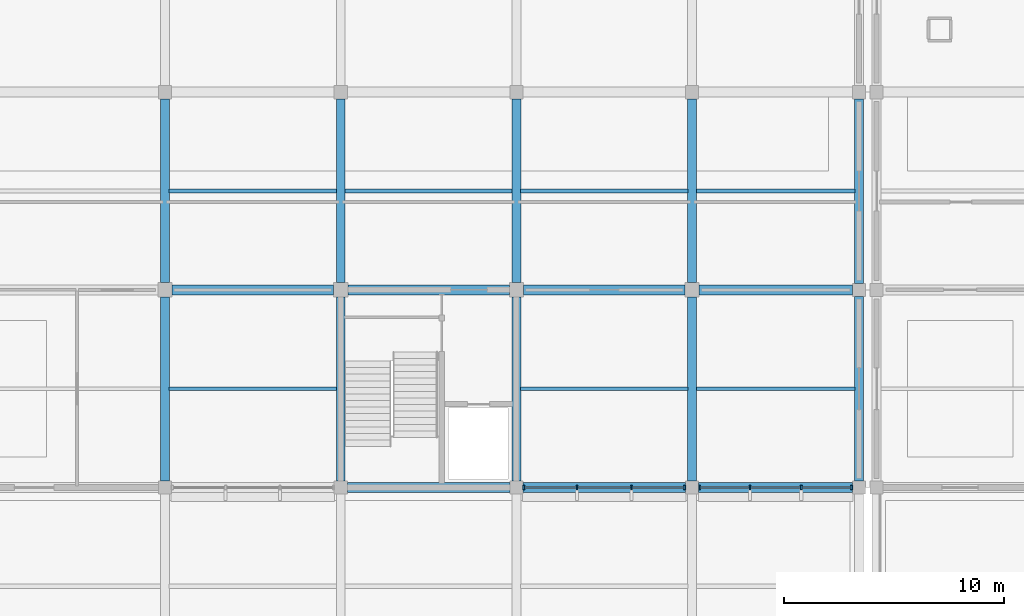
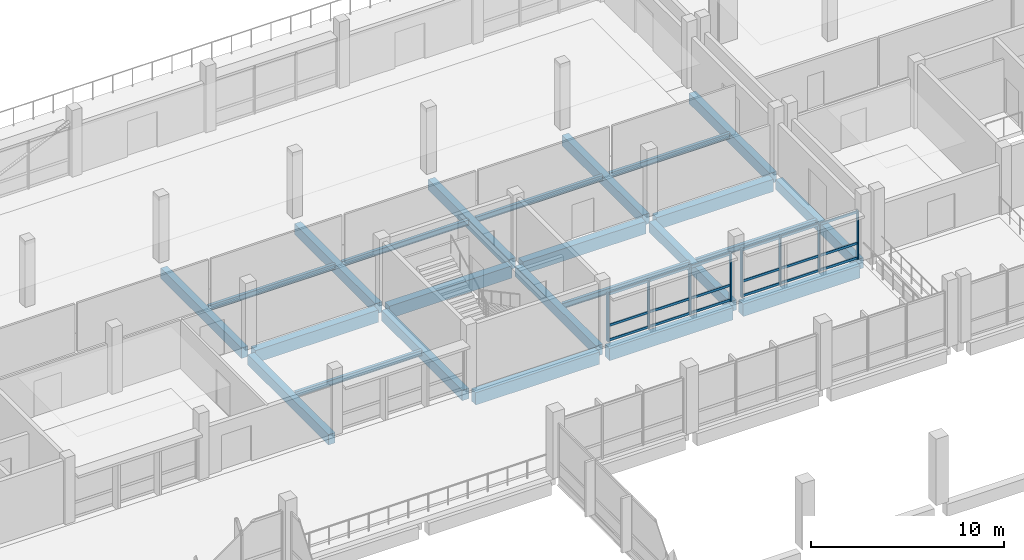
# One storey, part 27 of 70: 26 members, 24 beams, 2 elements without a shape of their own.
"""IFC4 building model written with IfcOpenShell, lengths in metres."""

from ifc_helpers import new_model, si_unit, direction, frame, origin, origin_2d, place, context, subcontext, project, spatial, rectangle, i_section, extrude, material, material_profile, profile_set, type_object, element, aggregate, save


model = new_model("IFC4")

# Units and contexts
model_context = context("Model", 3, precision=1e-05, world=origin(), true_north=direction((0.0, 1.0)))
body_context = subcontext(model_context, "Body", "Model", "MODEL_VIEW")
ifc_project = project(units=[si_unit("LENGTHUNIT", "METRE"), si_unit("AREAUNIT", "SQUARE_METRE"), si_unit("VOLUMEUNIT", "CUBIC_METRE"), si_unit("PLANEANGLEUNIT", "RADIAN"), si_unit("MASSUNIT", "GRAM", prefix="KILO"), si_unit("THERMODYNAMICTEMPERATUREUNIT", "KELVIN"), si_unit("POWERUNIT", "WATT")], contexts=[model_context])

# Site, building, storey
site_placement = place(None, origin())
site = spatial("IfcSite", under=ifc_project, at=site_placement, CompositionType="ELEMENT")
building_placement = place(site_placement, origin())
building = spatial("IfcBuilding", under=site, at=building_placement, Name="Kronsvod Quay Wholesale Market", CompositionType="ELEMENT")
storey_placement = place(building_placement, frame((0.0, 0.0, 9.0)))
storey = spatial("IfcBuildingStorey", under=building, at=storey_placement, Name="L02", CompositionType="ELEMENT", Elevation=9.0)

# Beams
ifc_material_1 = material(Name="Precast concrete C40/50", Category="concrete")
ifc_material_profile_1 = material_profile(ifc_material_1, rectangle(XDim=0.39990234375, YDim=0.64990234375, at=origin_2d()), Name="PCB400x650")
ifc_profile_set_1 = profile_set([ifc_material_profile_1], Name="Precast concrete C40/50")
beam_type_1 = type_object("IfcBeamType", Name="Beam_PCB400x650", PredefinedType="BEAM", material=ifc_profile_set_1)
for number, where, z_axis, x_axis, name in (
    (1, (96.0, 99.300048828125, -0.635009765625), (0.0, 1.0, 0.0), (-1.0, 0.0, 0.0), "BMY-L02-960-990"),
    (2, (96.0, 108.324951171875, -0.635009765625), (0.0, 1.0, 0.0), (-1.0, 0.0, 0.0), "BMY-L02-960-1080"),
    (3, (104.0, 99.300048828125, -0.635009765625), (0.0, 1.0, 0.0), (-1.0, 0.0, 0.0), "BMY-L02-1040-990"),
    (4, (104.0, 108.324951171875, -0.635009765625), (0.0, 1.0, 0.0), (-1.0, 0.0, 0.0), "BMY-L02-1040-1080"),
    (5, (112.0, 99.300048828125, -0.635009765625), (0.0, 1.0, 0.0), (-1.0, 0.0, 0.0), "BMY-L02-1120-990"),
    (6, (112.0, 108.324951171875, -0.635009765625), (0.0, 1.0, 0.0), (-1.0, 0.0, 0.0), "BMY-L02-1120-1080"),
    (7, (120.0, 99.300048828125, -0.635009765625), (0.0, 1.0, 0.0), (-1.0, 0.0, 0.0), "BMY-L02-1200-990"),
    (8, (120.0, 108.324951171875, -0.635009765625), (0.0, 1.0, 0.0), (-1.0, 0.0, 0.0), "BMY-L02-1200-1080"),
):
    element("IfcBeam", number, at=place(storey_placement, frame(where, z_axis=z_axis, x_axis=x_axis)), inside=storey, type_object=beam_type_1, Name=name, PredefinedType="BEAM", context=body_context, shape_type="SweptSolid", body=[
        extrude(rectangle(XDim=0.39990234375, YDim=0.64990234375, at=origin_2d()), origin(), (0.0, 0.0, 1.0), 8.375),
    ])
for number, where, z_axis, x_axis, name in (
    (9, (127.60009765625, 99.300048828125, -0.635009765625), (0.0, 1.0, 0.0), (-1.0, 0.0, 0.0), "BMY-L02-1276-990"),
    (10, (127.60009765625, 108.300048828125, -0.635009765625), (0.0, 1.0, 0.0), (-1.0, 0.0, 0.0), "BMY-L02-1276-1080"),
):
    element("IfcBeam", number, at=place(storey_placement, frame(where, z_axis=z_axis, x_axis=x_axis)), inside=storey, type_object=beam_type_1, Name=name, PredefinedType="BEAM", context=body_context, shape_type="SweptSolid", body=[
        extrude(rectangle(XDim=0.39990234375, YDim=0.64990234375, at=origin_2d()), origin(), (0.0, 0.0, 1.0), 8.39990234375),
    ])
ifc_material_2 = material(Name="Precast concrete C40/50", Category="concrete")
ifc_material_profile_2 = material_profile(ifc_material_2, rectangle(XDim=0.4599609375, YDim=0.780029296875, at=origin_2d()), Name="PB-03")
ifc_profile_set_2 = profile_set([ifc_material_profile_2], Name="Precast concrete C40/50")
beam_type_2 = type_object("IfcBeamType", Name="Beam_PCB460x780", PredefinedType="BEAM", material=ifc_profile_set_2)
for number, where, z_axis, x_axis, name in (
    (11, (104.300048828125, 99.0, -0.699951171875), (1.0, 0.0, 0.0), (0.0, 1.0, 0.0), "BMX-L02-1040-990"),
    (12, (112.300048828125, 99.0, -0.699951171875), (1.0, 0.0, 0.0), (0.0, 1.0, 0.0), "BMX-L02-1120-990"),
):
    element("IfcBeam", number, at=place(storey_placement, frame(where, z_axis=z_axis, x_axis=x_axis)), inside=storey, type_object=beam_type_2, Name=name, PredefinedType="BEAM", context=body_context, shape_type="SweptSolid", body=[
        extrude(rectangle(XDim=0.4599609375, YDim=0.780029296875, at=origin_2d()), origin(), (0.0, 0.0, 1.0), 7.39990234375),
    ])
beam_1_placement = place(storey_placement, frame((120.300048828125, 99.0, -0.699951171875), z_axis=(1.0, 0.0, 0.0), x_axis=(0.0, 1.0, 0.0)))
element("IfcBeam", 13, at=beam_1_placement, inside=storey, type_object=beam_type_2, Name="BMX-L02-1200-990", PredefinedType="BEAM", context=body_context, shape_type="SweptSolid", body=[
    extrude(rectangle(XDim=0.4599609375, YDim=0.780029296875, at=origin_2d()), origin(), (0.0, 0.0, 1.0), 7.0),
])
for number, where, z_axis, x_axis, name in (
    (14, (96.324951171875, 108.0, -0.699951171875), (1.0, 0.0, 0.0), (0.0, 1.0, 0.0), "BMX-L02-960-1080"),
    (15, (104.324951171875, 108.0, -0.699951171875), (1.0, 0.0, 0.0), (0.0, 1.0, 0.0), "BMX-L02-1040-1080"),
    (16, (112.324951171875, 108.0, -0.699951171875), (1.0, 0.0, 0.0), (0.0, 1.0, 0.0), "BMX-L02-1120-1080"),
):
    element("IfcBeam", number, at=place(storey_placement, frame(where, z_axis=z_axis, x_axis=x_axis)), inside=storey, type_object=beam_type_2, Name=name, PredefinedType="BEAM", context=body_context, shape_type="SweptSolid", body=[
        extrude(rectangle(XDim=0.4599609375, YDim=0.780029296875, at=origin_2d()), origin(), (0.0, 0.0, 1.0), 7.35009765625),
    ])
beam_2_placement = place(storey_placement, frame((120.324951171875, 108.0, -0.699951171875), z_axis=(1.0, 0.0, 0.0), x_axis=(0.0, 1.0, 0.0)))
element("IfcBeam", 17, at=beam_2_placement, inside=storey, type_object=beam_type_2, Name="BMX-L02-1200-1080", PredefinedType="BEAM", context=body_context, shape_type="SweptSolid", body=[
    extrude(rectangle(XDim=0.4599609375, YDim=0.780029296875, at=origin_2d()), origin(), (0.0, 0.0, 1.0), 6.97509765625),
])
ifc_material_3 = material(Name="Steel S355", Category="steel")
ifc_material_profile_3 = material_profile(ifc_material_3, i_section(OverallWidth=0.174072265625, OverallDepth=0.345947265625, WebThickness=0.006103515625, FlangeThickness=0.009033203125, FilletRadius=0.013916015625, at=origin_2d()), Name="35B1")
ifc_profile_set_3 = profile_set([ifc_material_profile_3], Name="Steel S355")
beam_type_3 = type_object("IfcBeamType", Name="Joist_Steel35B1", PredefinedType="JOIST", material=ifc_profile_set_3)
for number, where, z_axis, x_axis, name in (
    (18, (96.195068359375, 103.5, -0.423095703125), (1.0, 0.0, 0.0), (0.0, 1.0, 0.0), "JSTX-L02-960-990"),
    (19, (96.195068359375, 112.5, -0.423095703125), (1.0, 0.0, 0.0), (0.0, 1.0, 0.0), "JSTX-L02-960-1080"),
    (20, (104.195068359375, 112.5, -0.423095703125), (1.0, 0.0, 0.0), (0.0, 1.0, 0.0), "JSTX-L02-1040-1080"),
    (21, (112.195068359375, 103.5, -0.423095703125), (1.0, 0.0, 0.0), (0.0, 1.0, 0.0), "JSTX-L02-1120-990"),
    (22, (112.195068359375, 112.5, -0.423095703125), (1.0, 0.0, 0.0), (0.0, 1.0, 0.0), "JSTX-L02-1120-1080"),
):
    element("IfcBeam", number, at=place(storey_placement, frame(where, z_axis=z_axis, x_axis=x_axis)), inside=storey, type_object=beam_type_3, Name=name, PredefinedType="JOIST", context=body_context, shape_type="SweptSolid", body=[
        extrude(i_section(OverallWidth=0.174072265625, OverallDepth=0.345947265625, WebThickness=0.006103515625, FlangeThickness=0.009033203125, FilletRadius=0.013916015625, at=origin_2d()), origin(), (0.0, 0.0, 1.0), 7.60986328125),
    ])
for number, where, z_axis, x_axis, name in (
    (23, (120.195068359375, 103.5, -0.423095703125), (1.0, 0.0, 0.0), (0.0, 1.0, 0.0), "JSTX-L02-1200-990"),
    (24, (120.195068359375, 112.5, -0.423095703125), (1.0, 0.0, 0.0), (0.0, 1.0, 0.0), "JSTX-L02-1200-1080"),
):
    element("IfcBeam", number, at=place(storey_placement, frame(where, z_axis=z_axis, x_axis=x_axis)), inside=storey, type_object=beam_type_3, Name=name, PredefinedType="JOIST", context=body_context, shape_type="SweptSolid", body=[
        extrude(i_section(OverallWidth=0.174072265625, OverallDepth=0.345947265625, WebThickness=0.006103515625, FlangeThickness=0.009033203125, FilletRadius=0.013916015625, at=origin_2d()), origin(), (0.0, 0.0, 1.0), 7.2099609375),
    ])

# Curtain wall, members
ifc_material_4 = material(Name="Thermally broken aluminium and triple low-E glazing", Category="aluminium")
curtain_wall_type = type_object("IfcCurtainWallType", Name="CW_Harbour80x33", PredefinedType="NOTDEFINED", material=ifc_material_4)
curtain_wall_1_placement = place(storey_placement, origin())
curtain_wall_1 = element("IfcCurtainWall", 25, at=curtain_wall_1_placement, inside=storey, type_object=curtain_wall_type, Name="CWGX-L02-1120-990", PredefinedType="NOTDEFINED")
ifc_material_5 = material(Name="Anodised aluminium", Category="aluminium")
ifc_material_profile_4 = material_profile(ifc_material_5, rectangle(XDim=0.074951171875, YDim=0.199951171875, at=origin_2d()), Name="ALUM75x200")
ifc_profile_set_4 = profile_set([ifc_material_profile_4], Name="Anodised aluminium")
member_type_1 = type_object("IfcMemberType", Name="Mullion_ALU75x200", PredefinedType="MULLION", material=ifc_profile_set_4)
member_1_placement = place(storey_placement, frame((112.33251953125, 99.0, 0.0), z_axis=(0.0, 0.0, 1.0), x_axis=(1.0, 0.0, 0.0)))
member_1 = element("IfcMember", 26, at=member_1_placement, type_object=member_type_1, Name="CWGX-L02-1120-990-M1", PredefinedType="MULLION", context=body_context, shape_type="SweptSolid", body=[
    extrude(rectangle(XDim=0.074951171875, YDim=0.199951171875, at=origin_2d()), origin(), (0.0, 0.0, 1.0), 3.050048828125),
])
member_2_placement = place(storey_placement, frame((114.764892578125, 99.0, 0.0), z_axis=(0.0, 0.0, 1.0), x_axis=(1.0, 0.0, 0.0)))
member_2 = element("IfcMember", 27, at=member_2_placement, type_object=member_type_1, Name="CWGX-L02-1120-990-M2", PredefinedType="MULLION", context=body_context, shape_type="SweptSolid", body=[
    extrude(rectangle(XDim=0.074951171875, YDim=0.199951171875, at=origin_2d()), origin(), (0.0, 0.0, 1.0), 3.050048828125),
])
member_3_placement = place(storey_placement, frame((117.235107421875, 99.0, 0.0), z_axis=(0.0, 0.0, 1.0), x_axis=(1.0, 0.0, 0.0)))
member_3 = element("IfcMember", 28, at=member_3_placement, type_object=member_type_1, Name="CWGX-L02-1120-990-M3", PredefinedType="MULLION", context=body_context, shape_type="SweptSolid", body=[
    extrude(rectangle(XDim=0.074951171875, YDim=0.199951171875, at=origin_2d()), origin(), (0.0, 0.0, 1.0), 3.050048828125),
])
member_4_placement = place(storey_placement, frame((119.66748046875, 99.0, 0.0), z_axis=(0.0, 0.0, 1.0), x_axis=(1.0, 0.0, 0.0)))
member_4 = element("IfcMember", 29, at=member_4_placement, type_object=member_type_1, Name="CWGX-L02-1120-990-M4", PredefinedType="MULLION", context=body_context, shape_type="SweptSolid", body=[
    extrude(rectangle(XDim=0.074951171875, YDim=0.199951171875, at=origin_2d()), origin(), (0.0, 0.0, 1.0), 3.050048828125),
])

curtain_wall_2_placement = place(storey_placement, origin())
curtain_wall_2 = element("IfcCurtainWall", 30, at=curtain_wall_2_placement, inside=storey, type_object=curtain_wall_type, Name="CWGX-L02-1200-990", PredefinedType="NOTDEFINED")
member_5_placement = place(storey_placement, frame((120.33251953125, 99.0, 0.0), z_axis=(0.0, 0.0, 1.0), x_axis=(1.0, 0.0, 0.0)))
member_5 = element("IfcMember", 31, at=member_5_placement, type_object=member_type_1, Name="CWGX-L02-1200-990-M1", PredefinedType="MULLION", context=body_context, shape_type="SweptSolid", body=[
    extrude(rectangle(XDim=0.074951171875, YDim=0.199951171875, at=origin_2d()), origin(), (0.0, 0.0, 1.0), 3.050048828125),
])
member_6_placement = place(storey_placement, frame((122.631591796875, 99.0, 0.0), z_axis=(0.0, 0.0, 1.0), x_axis=(1.0, 0.0, 0.0)))
member_6 = element("IfcMember", 32, at=member_6_placement, type_object=member_type_1, Name="CWGX-L02-1200-990-M2", PredefinedType="MULLION", context=body_context, shape_type="SweptSolid", body=[
    extrude(rectangle(XDim=0.074951171875, YDim=0.199951171875, at=origin_2d()), origin(), (0.0, 0.0, 1.0), 3.050048828125),
])
member_7_placement = place(storey_placement, frame((124.96826171875, 99.0, 0.0), z_axis=(0.0, 0.0, 1.0), x_axis=(1.0, 0.0, 0.0)))
member_7 = element("IfcMember", 33, at=member_7_placement, type_object=member_type_1, Name="CWGX-L02-1200-990-M3", PredefinedType="MULLION", context=body_context, shape_type="SweptSolid", body=[
    extrude(rectangle(XDim=0.074951171875, YDim=0.199951171875, at=origin_2d()), origin(), (0.0, 0.0, 1.0), 3.050048828125),
])
member_8_placement = place(storey_placement, frame((127.267578125, 99.0, 0.0), z_axis=(0.0, 0.0, 1.0), x_axis=(1.0, 0.0, 0.0)))
member_8 = element("IfcMember", 34, at=member_8_placement, type_object=member_type_1, Name="CWGX-L02-1200-990-M4", PredefinedType="MULLION", context=body_context, shape_type="SweptSolid", body=[
    extrude(rectangle(XDim=0.074951171875, YDim=0.199951171875, at=origin_2d()), origin(), (0.0, 0.0, 1.0), 3.050048828125),
])

# Member
ifc_material_6 = material(Name="Anodised aluminium", Category="aluminium")
ifc_material_profile_5 = material_profile(ifc_material_6, rectangle(XDim=0.074951171875, YDim=0.14990234375, at=origin_2d()), Name="ALUT75x150")
ifc_profile_set_5 = profile_set([ifc_material_profile_5], Name="Anodised aluminium")
member_type_2 = type_object("IfcMemberType", Name="Transom_ALU75x150", PredefinedType="USERDEFINED", material=ifc_profile_set_5)
member_9_placement = place(storey_placement, frame((112.3701171875, 99.0, 0.074951171875), z_axis=(1.0, 0.0, 0.0), x_axis=(0.0, 1.0, 0.0)))
member_9 = element("IfcMember", 35, at=member_9_placement, type_object=member_type_2, Name="CWGX-L02-1120-990-T1B1", ObjectType="TRANSOM", PredefinedType="USERDEFINED", context=body_context, shape_type="SweptSolid", body=[
    extrude(rectangle(XDim=0.074951171875, YDim=0.14990234375, at=origin_2d()), origin(), (0.0, 0.0, 1.0), 2.357421875),
])

member_10_placement = place(storey_placement, frame((114.802490234375, 99.0, 0.074951171875), z_axis=(1.0, 0.0, 0.0), x_axis=(0.0, 1.0, 0.0)))
member_10 = element("IfcMember", 36, at=member_10_placement, type_object=member_type_2, Name="CWGX-L02-1120-990-T1B2", ObjectType="TRANSOM", PredefinedType="USERDEFINED", context=body_context, shape_type="SweptSolid", body=[
    extrude(rectangle(XDim=0.074951171875, YDim=0.14990234375, at=origin_2d()), origin(), (0.0, 0.0, 1.0), 2.39501953125),
])

member_11_placement = place(storey_placement, frame((117.2724609375, 99.0, 0.074951171875), z_axis=(1.0, 0.0, 0.0), x_axis=(0.0, 1.0, 0.0)))
member_11 = element("IfcMember", 37, at=member_11_placement, type_object=member_type_2, Name="CWGX-L02-1120-990-T1B3", ObjectType="TRANSOM", PredefinedType="USERDEFINED", context=body_context, shape_type="SweptSolid", body=[
    extrude(rectangle(XDim=0.074951171875, YDim=0.14990234375, at=origin_2d()), origin(), (0.0, 0.0, 1.0), 2.357421875),
])

member_12_placement = place(storey_placement, frame((112.3701171875, 99.0, 1.0), z_axis=(1.0, 0.0, 0.0), x_axis=(0.0, 1.0, 0.0)))
member_12 = element("IfcMember", 38, at=member_12_placement, type_object=member_type_2, Name="CWGX-L02-1120-990-T2B1", ObjectType="TRANSOM", PredefinedType="USERDEFINED", context=body_context, shape_type="SweptSolid", body=[
    extrude(rectangle(XDim=0.074951171875, YDim=0.14990234375, at=origin_2d()), origin(), (0.0, 0.0, 1.0), 2.357421875),
])

member_13_placement = place(storey_placement, frame((114.802490234375, 99.0, 1.0), z_axis=(1.0, 0.0, 0.0), x_axis=(0.0, 1.0, 0.0)))
member_13 = element("IfcMember", 39, at=member_13_placement, type_object=member_type_2, Name="CWGX-L02-1120-990-T2B2", ObjectType="TRANSOM", PredefinedType="USERDEFINED", context=body_context, shape_type="SweptSolid", body=[
    extrude(rectangle(XDim=0.074951171875, YDim=0.14990234375, at=origin_2d()), origin(), (0.0, 0.0, 1.0), 2.39501953125),
])

member_14_placement = place(storey_placement, frame((117.2724609375, 99.0, 1.0), z_axis=(1.0, 0.0, 0.0), x_axis=(0.0, 1.0, 0.0)))
member_14 = element("IfcMember", 40, at=member_14_placement, type_object=member_type_2, Name="CWGX-L02-1120-990-T2B3", ObjectType="TRANSOM", PredefinedType="USERDEFINED", context=body_context, shape_type="SweptSolid", body=[
    extrude(rectangle(XDim=0.074951171875, YDim=0.14990234375, at=origin_2d()), origin(), (0.0, 0.0, 1.0), 2.357421875),
])

member_15_placement = place(storey_placement, frame((112.3701171875, 99.0, 2.97509765625), z_axis=(1.0, 0.0, 0.0), x_axis=(0.0, 1.0, 0.0)))
member_15 = element("IfcMember", 41, at=member_15_placement, type_object=member_type_2, Name="CWGX-L02-1120-990-T3B1", ObjectType="TRANSOM", PredefinedType="USERDEFINED", context=body_context, shape_type="SweptSolid", body=[
    extrude(rectangle(XDim=0.074951171875, YDim=0.14990234375, at=origin_2d()), origin(), (0.0, 0.0, 1.0), 2.357421875),
])

member_16_placement = place(storey_placement, frame((114.802490234375, 99.0, 2.97509765625), z_axis=(1.0, 0.0, 0.0), x_axis=(0.0, 1.0, 0.0)))
member_16 = element("IfcMember", 42, at=member_16_placement, type_object=member_type_2, Name="CWGX-L02-1120-990-T3B2", ObjectType="TRANSOM", PredefinedType="USERDEFINED", context=body_context, shape_type="SweptSolid", body=[
    extrude(rectangle(XDim=0.074951171875, YDim=0.14990234375, at=origin_2d()), origin(), (0.0, 0.0, 1.0), 2.39501953125),
])

member_17_placement = place(storey_placement, frame((117.2724609375, 99.0, 2.97509765625), z_axis=(1.0, 0.0, 0.0), x_axis=(0.0, 1.0, 0.0)))
member_17 = element("IfcMember", 43, at=member_17_placement, type_object=member_type_2, Name="CWGX-L02-1120-990-T3B3", ObjectType="TRANSOM", PredefinedType="USERDEFINED", context=body_context, shape_type="SweptSolid", body=[
    extrude(rectangle(XDim=0.074951171875, YDim=0.14990234375, at=origin_2d()), origin(), (0.0, 0.0, 1.0), 2.357421875),
])

aggregate(curtain_wall_1, [member_1, member_2, member_3, member_4, member_9, member_10, member_11, member_12, member_13, member_14, member_15, member_16, member_17])

member_18_placement = place(storey_placement, frame((120.3701171875, 99.0, 0.074951171875), z_axis=(1.0, 0.0, 0.0), x_axis=(0.0, 1.0, 0.0)))
member_18 = element("IfcMember", 44, at=member_18_placement, type_object=member_type_2, Name="CWGX-L02-1200-990-T1B1", ObjectType="TRANSOM", PredefinedType="USERDEFINED", context=body_context, shape_type="SweptSolid", body=[
    extrude(rectangle(XDim=0.074951171875, YDim=0.14990234375, at=origin_2d()), origin(), (0.0, 0.0, 1.0), 2.22412109375),
])

member_19_placement = place(storey_placement, frame((122.669189453125, 99.0, 0.074951171875), z_axis=(1.0, 0.0, 0.0), x_axis=(0.0, 1.0, 0.0)))
member_19 = element("IfcMember", 45, at=member_19_placement, type_object=member_type_2, Name="CWGX-L02-1200-990-T1B2", ObjectType="TRANSOM", PredefinedType="USERDEFINED", context=body_context, shape_type="SweptSolid", body=[
    extrude(rectangle(XDim=0.074951171875, YDim=0.14990234375, at=origin_2d()), origin(), (0.0, 0.0, 1.0), 2.26171875),
])

member_20_placement = place(storey_placement, frame((125.005859375, 99.0, 0.074951171875), z_axis=(1.0, 0.0, 0.0), x_axis=(0.0, 1.0, 0.0)))
member_20 = element("IfcMember", 46, at=member_20_placement, type_object=member_type_2, Name="CWGX-L02-1200-990-T1B3", ObjectType="TRANSOM", PredefinedType="USERDEFINED", context=body_context, shape_type="SweptSolid", body=[
    extrude(rectangle(XDim=0.074951171875, YDim=0.14990234375, at=origin_2d()), origin(), (0.0, 0.0, 1.0), 2.22412109375),
])

member_21_placement = place(storey_placement, frame((120.3701171875, 99.0, 1.0), z_axis=(1.0, 0.0, 0.0), x_axis=(0.0, 1.0, 0.0)))
member_21 = element("IfcMember", 47, at=member_21_placement, type_object=member_type_2, Name="CWGX-L02-1200-990-T2B1", ObjectType="TRANSOM", PredefinedType="USERDEFINED", context=body_context, shape_type="SweptSolid", body=[
    extrude(rectangle(XDim=0.074951171875, YDim=0.14990234375, at=origin_2d()), origin(), (0.0, 0.0, 1.0), 2.22412109375),
])

member_22_placement = place(storey_placement, frame((122.669189453125, 99.0, 1.0), z_axis=(1.0, 0.0, 0.0), x_axis=(0.0, 1.0, 0.0)))
member_22 = element("IfcMember", 48, at=member_22_placement, type_object=member_type_2, Name="CWGX-L02-1200-990-T2B2", ObjectType="TRANSOM", PredefinedType="USERDEFINED", context=body_context, shape_type="SweptSolid", body=[
    extrude(rectangle(XDim=0.074951171875, YDim=0.14990234375, at=origin_2d()), origin(), (0.0, 0.0, 1.0), 2.26171875),
])

member_23_placement = place(storey_placement, frame((125.005859375, 99.0, 1.0), z_axis=(1.0, 0.0, 0.0), x_axis=(0.0, 1.0, 0.0)))
member_23 = element("IfcMember", 49, at=member_23_placement, type_object=member_type_2, Name="CWGX-L02-1200-990-T2B3", ObjectType="TRANSOM", PredefinedType="USERDEFINED", context=body_context, shape_type="SweptSolid", body=[
    extrude(rectangle(XDim=0.074951171875, YDim=0.14990234375, at=origin_2d()), origin(), (0.0, 0.0, 1.0), 2.22412109375),
])

member_24_placement = place(storey_placement, frame((120.3701171875, 99.0, 2.97509765625), z_axis=(1.0, 0.0, 0.0), x_axis=(0.0, 1.0, 0.0)))
member_24 = element("IfcMember", 50, at=member_24_placement, type_object=member_type_2, Name="CWGX-L02-1200-990-T3B1", ObjectType="TRANSOM", PredefinedType="USERDEFINED", context=body_context, shape_type="SweptSolid", body=[
    extrude(rectangle(XDim=0.074951171875, YDim=0.14990234375, at=origin_2d()), origin(), (0.0, 0.0, 1.0), 2.22412109375),
])

member_25_placement = place(storey_placement, frame((122.669189453125, 99.0, 2.97509765625), z_axis=(1.0, 0.0, 0.0), x_axis=(0.0, 1.0, 0.0)))
member_25 = element("IfcMember", 51, at=member_25_placement, type_object=member_type_2, Name="CWGX-L02-1200-990-T3B2", ObjectType="TRANSOM", PredefinedType="USERDEFINED", context=body_context, shape_type="SweptSolid", body=[
    extrude(rectangle(XDim=0.074951171875, YDim=0.14990234375, at=origin_2d()), origin(), (0.0, 0.0, 1.0), 2.26171875),
])

member_26_placement = place(storey_placement, frame((125.005859375, 99.0, 2.97509765625), z_axis=(1.0, 0.0, 0.0), x_axis=(0.0, 1.0, 0.0)))
member_26 = element("IfcMember", 52, at=member_26_placement, type_object=member_type_2, Name="CWGX-L02-1200-990-T3B3", ObjectType="TRANSOM", PredefinedType="USERDEFINED", context=body_context, shape_type="SweptSolid", body=[
    extrude(rectangle(XDim=0.074951171875, YDim=0.14990234375, at=origin_2d()), origin(), (0.0, 0.0, 1.0), 2.22412109375),
])

aggregate(curtain_wall_2, [member_5, member_6, member_7, member_8, member_18, member_19, member_20, member_21, member_22, member_23, member_24, member_25, member_26])

save(model, "model.ifc")
